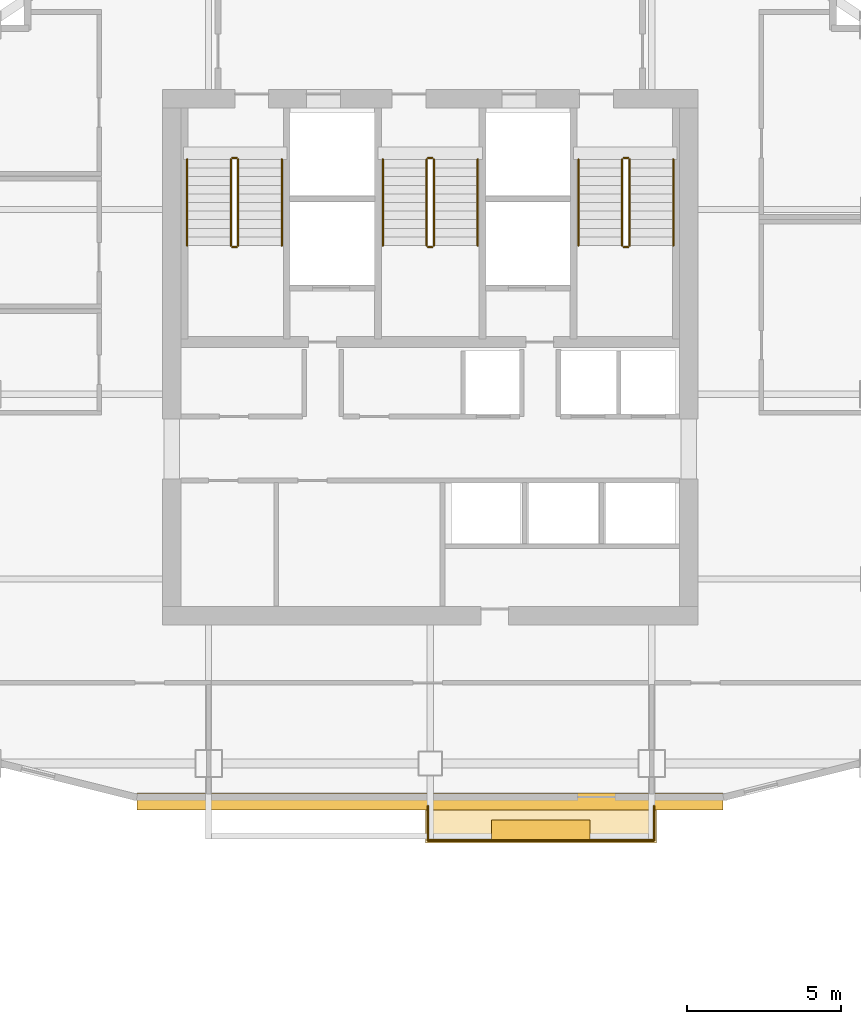
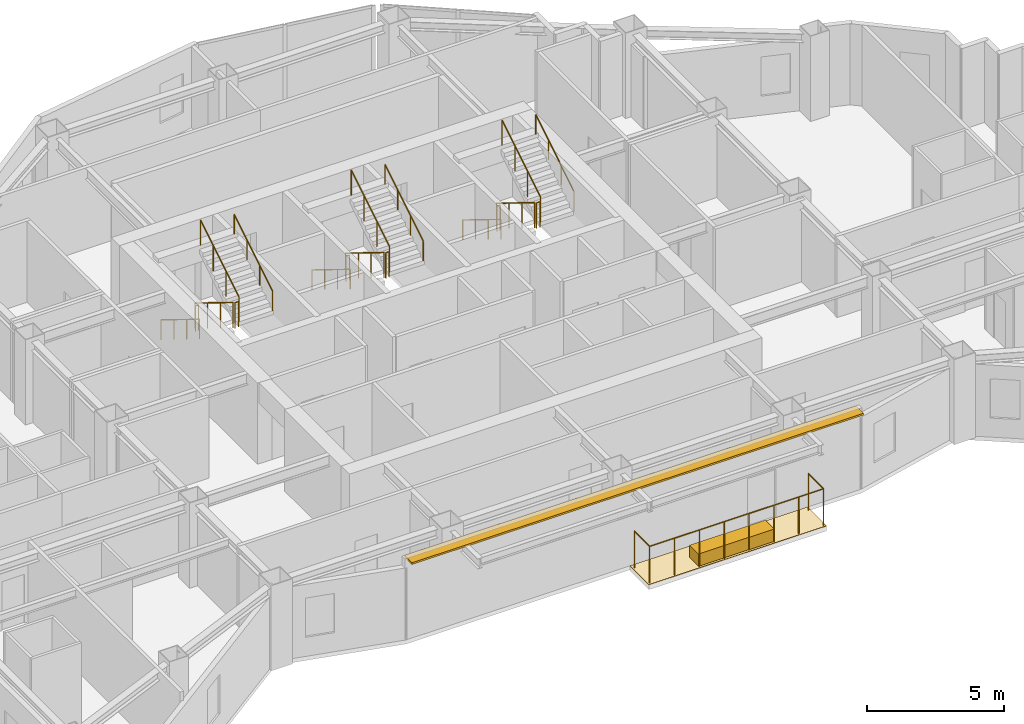
# One storey, part 10 of 10: 20 railings, 2 coverings, 1 shading device.
"""IFC4 building model written with IfcOpenShell, lengths in metres."""

from ifc_helpers import new_model, si_unit, direction, frame, origin, origin_2d, place, context, subcontext, project, spatial, polyline, rectangle, circle, outline, extrude, material, layer, layer_set, type_object, element, save


model = new_model("IFC4")

# Units and contexts
model_context = context("Model", 3, precision=1e-05, world=origin(), true_north=direction((0.0, 1.0)))
body_context = subcontext(model_context, "Body", "Model", "MODEL_VIEW")
ifc_project = project(units=[si_unit("LENGTHUNIT", "METRE"), si_unit("AREAUNIT", "SQUARE_METRE"), si_unit("VOLUMEUNIT", "CUBIC_METRE"), si_unit("PLANEANGLEUNIT", "RADIAN"), si_unit("MASSUNIT", "GRAM", prefix="KILO")], contexts=[model_context])

# Site, building, storey
site_placement = place(None, origin())
site = spatial("IfcSite", under=ifc_project, at=site_placement, CompositionType="ELEMENT")
building_placement = place(site_placement, origin())
building = spatial("IfcBuilding", under=site, at=building_placement, Name="Haolan Belvedere Tower", CompositionType="ELEMENT")
storey_placement = place(building_placement, frame((0.0, 0.0, 176.60009765625)))
storey = spatial("IfcBuildingStorey", under=building, at=storey_placement, Name="L44", CompositionType="ELEMENT", Elevation=176.60009765625)

# Coverings
ifc_material_1 = material(Name="Engineered lightweight planted garden soil substrate", Category="masonry")
ifc_layer_1 = layer(ifc_material_1, 0.550048828125, Name="Engineered lightweight planted garden soil substrate")
ifc_layer_set_1 = layer_set([ifc_layer_1], Name="Engineered lightweight planted garden soil substrate")
covering_type_1 = type_object("IfcCoveringType", Name="COV-PLANT-550", PredefinedType="MEMBRANE", material=ifc_layer_set_1)
covering_1_placement = place(storey_placement, frame((42.0, 19.43994140625, 0.0), z_axis=(0.0, 0.0, 1.0), x_axis=(1.0, 0.0, 0.0)))
element("IfcCovering", 1, at=covering_1_placement, inside=storey, type_object=covering_type_1, Name="L44 structural tree balcony PLANTER box 1", PredefinedType="MEMBRANE", context=body_context, shape_type="SweptSolid", body=[
    extrude(rectangle(XDim=3.199951171875, YDim=0.64990234375, at=origin_2d()), origin(), (0.0, 0.0, 1.0), 0.550048828125),
])
ifc_material_2 = material(Name="Elastomeric waterproof roofing membrane and stone pavers", Category="masonry")
ifc_layer_2 = layer(ifc_material_2, 0.02001953125, Name="Elastomeric waterproof roofing membrane and stone pavers")
ifc_layer_set_2 = layer_set([ifc_layer_2], Name="Elastomeric waterproof roofing membrane and stone pavers")
covering_type_2 = type_object("IfcCoveringType", Name="COV-ROOF-20", PredefinedType="ROOFING", material=ifc_layer_set_2)
covering_2_placement = place(storey_placement, frame((0.0, 0.0, -0.02001953125)))
element("IfcCovering", 2, at=covering_2_placement, inside=storey, type_object=covering_type_2, Name="L44 tree-balcony waterproof membrane 1", PredefinedType="ROOFING", context=body_context, shape_type="SweptSolid", body=[
    extrude(outline(polyline([(38.25, 19.02001953125), (45.75, 19.02001953125), (45.75, 20.39990234375), (38.25, 20.39990234375), (38.25, 19.02001953125)])), origin(), (0.0, 0.0, 1.0), 0.02001953125),
])

# Railings
ifc_material_3 = material(Name="Brushed stainless steel 304", Category="steel")
railing_type_1 = type_object("IfcRailingType", Name="RL-STAIR-GRD-1150", PredefinedType="GUARDRAIL", material=ifc_material_3)
railing_1_placement = place(storey_placement, frame((31.919921875, 41.22998046875, 0.172607421875)))
element("IfcRailing", 3, at=railing_1_placement, inside=storey, type_object=railing_type_1, Name="L44 ST1 stair guard 1", PredefinedType="GUARDRAIL", context=body_context, shape_type="SweptSolid", body=[
    extrude(circle(Radius=0.02392578125, at=origin_2d()), frame((0.0, 0.0, 1.1259765625), z_axis=(0.0, -0.851089632645, 0.525020415988), x_axis=(1.0, 0.0, 0.0)), (0.0, 0.0, 1.0), 3.2900390625),
    extrude(circle(Radius=0.02099609375, at=origin_2d()), origin(), (0.0, 0.0, 1.0), 1.101806640625),
    extrude(circle(Radius=0.02099609375, at=origin_2d()), frame((0.0, -0.933349609375, 0.57568359375)), (0.0, 0.0, 1.0), 1.101806640625),
    extrude(circle(Radius=0.02099609375, at=origin_2d()), frame((0.0, -1.86669921875, 1.151611328125)), (0.0, 0.0, 1.0), 1.101806640625),
    extrude(circle(Radius=0.02099609375, at=origin_2d()), frame((0.0, -2.800048828125, 1.727294921875)), (0.0, 0.0, 1.0), 1.101806640625),
])
railing_2_placement = place(storey_placement, frame((31.969970703125, 38.3798828125, 1.89990234375)))
element("IfcRailing", 4, at=railing_2_placement, inside=storey, type_object=railing_type_1, Name="L44 ST1 stair guard 2", PredefinedType="GUARDRAIL", context=body_context, shape_type="SweptSolid", body=[
    extrude(circle(Radius=0.02392578125, at=origin_2d()), frame((0.0, 0.0, 1.1259765625), z_axis=(1.0, 0.0, 0.0), x_axis=(0.0, 1.0, 0.0)), (0.0, 0.0, 1.0), 0.14013671875),
    extrude(circle(Radius=0.02099609375, at=origin_2d()), origin(), (0.0, 0.0, 1.0), 1.101806640625),
    extrude(circle(Radius=0.02099609375, at=origin_2d()), frame((0.14013671875, 0.0, 0.0)), (0.0, 0.0, 1.0), 1.101806640625),
])
railing_3_placement = place(storey_placement, frame((32.159912109375, 38.429931640625, 2.072509765625)))
element("IfcRailing", 5, at=railing_3_placement, inside=storey, type_object=railing_type_1, Name="L44 ST1 stair guard 3", PredefinedType="GUARDRAIL", context=body_context, shape_type="SweptSolid", body=[
    extrude(circle(Radius=0.02392578125, at=origin_2d()), frame((0.0, 0.0, 1.1259765625), z_axis=(0.0, 0.851089632645, 0.525020415988), x_axis=(-1.0, 0.0, 0.0)), (0.0, 0.0, 1.0), 3.2900390625),
    extrude(circle(Radius=0.02099609375, at=origin_2d()), origin(), (0.0, 0.0, 1.0), 1.101806640625),
    extrude(circle(Radius=0.02099609375, at=origin_2d()), frame((0.0, 0.933349609375, 0.57568359375)), (0.0, 0.0, 1.0), 1.101806640625),
    extrude(circle(Radius=0.02099609375, at=origin_2d()), frame((0.0, 1.86669921875, 1.151611328125)), (0.0, 0.0, 1.0), 1.101806640625),
    extrude(circle(Radius=0.02099609375, at=origin_2d()), frame((0.0, 2.800048828125, 1.727294921875)), (0.0, 0.0, 1.0), 1.101806640625),
])
railing_4_placement = place(storey_placement, frame((31.969970703125, 41.280029296875, 0.0)))
element("IfcRailing", 6, at=railing_4_placement, inside=storey, type_object=railing_type_1, Name="L44 ST1 stair guard 4", PredefinedType="GUARDRAIL", context=body_context, shape_type="SweptSolid", body=[
    extrude(circle(Radius=0.02392578125, at=origin_2d()), frame((0.0, 0.0, 1.1259765625), z_axis=(1.0, 0.0, 0.0), x_axis=(0.0, 1.0, 0.0)), (0.0, 0.0, 1.0), 0.14013671875),
    extrude(circle(Radius=0.02099609375, at=origin_2d()), origin(), (0.0, 0.0, 1.0), 1.101806640625),
    extrude(circle(Radius=0.02099609375, at=origin_2d()), frame((0.14013671875, 0.0, 0.0)), (0.0, 0.0, 1.0), 1.101806640625),
])
railing_5_placement = place(storey_placement, frame((38.280029296875, 41.22998046875, 0.172607421875)))
element("IfcRailing", 7, at=railing_5_placement, inside=storey, type_object=railing_type_1, Name="L44 ST3 stair guard 1", PredefinedType="GUARDRAIL", context=body_context, shape_type="SweptSolid", body=[
    extrude(circle(Radius=0.02392578125, at=origin_2d()), frame((0.0, 0.0, 1.1259765625), z_axis=(0.0, -0.851089632645, 0.525020415988), x_axis=(1.0, 0.0, 0.0)), (0.0, 0.0, 1.0), 3.2900390625),
    extrude(circle(Radius=0.02099609375, at=origin_2d()), origin(), (0.0, 0.0, 1.0), 1.101806640625),
    extrude(circle(Radius=0.02099609375, at=origin_2d()), frame((0.0, -0.933349609375, 0.57568359375)), (0.0, 0.0, 1.0), 1.101806640625),
    extrude(circle(Radius=0.02099609375, at=origin_2d()), frame((0.0, -1.86669921875, 1.151611328125)), (0.0, 0.0, 1.0), 1.101806640625),
    extrude(circle(Radius=0.02099609375, at=origin_2d()), frame((0.0, -2.800048828125, 1.727294921875)), (0.0, 0.0, 1.0), 1.101806640625),
])
railing_6_placement = place(storey_placement, frame((38.330078125, 38.3798828125, 1.89990234375)))
element("IfcRailing", 8, at=railing_6_placement, inside=storey, type_object=railing_type_1, Name="L44 ST3 stair guard 2", PredefinedType="GUARDRAIL", context=body_context, shape_type="SweptSolid", body=[
    extrude(circle(Radius=0.02392578125, at=origin_2d()), frame((0.0, 0.0, 1.1259765625), z_axis=(1.0, 0.0, 0.0), x_axis=(0.0, 1.0, 0.0)), (0.0, 0.0, 1.0), 0.139892578125),
    extrude(circle(Radius=0.02099609375, at=origin_2d()), origin(), (0.0, 0.0, 1.0), 1.101806640625),
    extrude(circle(Radius=0.02099609375, at=origin_2d()), frame((0.139892578125, 0.0, 0.0)), (0.0, 0.0, 1.0), 1.101806640625),
])
railing_7_placement = place(storey_placement, frame((38.52001953125, 38.429931640625, 2.072509765625)))
element("IfcRailing", 9, at=railing_7_placement, inside=storey, type_object=railing_type_1, Name="L44 ST3 stair guard 3", PredefinedType="GUARDRAIL", context=body_context, shape_type="SweptSolid", body=[
    extrude(circle(Radius=0.02392578125, at=origin_2d()), frame((0.0, 0.0, 1.1259765625), z_axis=(0.0, 0.851089632645, 0.525020415988), x_axis=(-1.0, 0.0, 0.0)), (0.0, 0.0, 1.0), 3.2900390625),
    extrude(circle(Radius=0.02099609375, at=origin_2d()), origin(), (0.0, 0.0, 1.0), 1.101806640625),
    extrude(circle(Radius=0.02099609375, at=origin_2d()), frame((0.0, 0.933349609375, 0.57568359375)), (0.0, 0.0, 1.0), 1.101806640625),
    extrude(circle(Radius=0.02099609375, at=origin_2d()), frame((0.0, 1.86669921875, 1.151611328125)), (0.0, 0.0, 1.0), 1.101806640625),
    extrude(circle(Radius=0.02099609375, at=origin_2d()), frame((0.0, 2.800048828125, 1.727294921875)), (0.0, 0.0, 1.0), 1.101806640625),
])
railing_8_placement = place(storey_placement, frame((38.330078125, 41.280029296875, 0.0)))
element("IfcRailing", 10, at=railing_8_placement, inside=storey, type_object=railing_type_1, Name="L44 ST3 stair guard 4", PredefinedType="GUARDRAIL", context=body_context, shape_type="SweptSolid", body=[
    extrude(circle(Radius=0.02392578125, at=origin_2d()), frame((0.0, 0.0, 1.1259765625), z_axis=(1.0, 0.0, 0.0), x_axis=(0.0, 1.0, 0.0)), (0.0, 0.0, 1.0), 0.139892578125),
    extrude(circle(Radius=0.02099609375, at=origin_2d()), origin(), (0.0, 0.0, 1.0), 1.101806640625),
    extrude(circle(Radius=0.02099609375, at=origin_2d()), frame((0.139892578125, 0.0, 0.0)), (0.0, 0.0, 1.0), 1.101806640625),
])
railing_9_placement = place(storey_placement, frame((44.639892578125, 41.22998046875, 0.172607421875)))
element("IfcRailing", 11, at=railing_9_placement, inside=storey, type_object=railing_type_1, Name="L44 ST2 stair guard 1", PredefinedType="GUARDRAIL", context=body_context, shape_type="SweptSolid", body=[
    extrude(circle(Radius=0.02392578125, at=origin_2d()), frame((0.0, 0.0, 1.1259765625), z_axis=(0.0, -0.851089632645, 0.525020415988), x_axis=(1.0, 0.0, 0.0)), (0.0, 0.0, 1.0), 3.2900390625),
    extrude(circle(Radius=0.02099609375, at=origin_2d()), origin(), (0.0, 0.0, 1.0), 1.101806640625),
    extrude(circle(Radius=0.02099609375, at=origin_2d()), frame((0.0, -0.933349609375, 0.57568359375)), (0.0, 0.0, 1.0), 1.101806640625),
    extrude(circle(Radius=0.02099609375, at=origin_2d()), frame((0.0, -1.86669921875, 1.151611328125)), (0.0, 0.0, 1.0), 1.101806640625),
    extrude(circle(Radius=0.02099609375, at=origin_2d()), frame((0.0, -2.800048828125, 1.727294921875)), (0.0, 0.0, 1.0), 1.101806640625),
])
railing_10_placement = place(storey_placement, frame((44.68994140625, 38.3798828125, 1.89990234375)))
element("IfcRailing", 12, at=railing_10_placement, inside=storey, type_object=railing_type_1, Name="L44 ST2 stair guard 2", PredefinedType="GUARDRAIL", context=body_context, shape_type="SweptSolid", body=[
    extrude(circle(Radius=0.02392578125, at=origin_2d()), frame((0.0, 0.0, 1.1259765625), z_axis=(1.0, 0.0, 0.0), x_axis=(0.0, 1.0, 0.0)), (0.0, 0.0, 1.0), 0.14013671875),
    extrude(circle(Radius=0.02099609375, at=origin_2d()), origin(), (0.0, 0.0, 1.0), 1.101806640625),
    extrude(circle(Radius=0.02099609375, at=origin_2d()), frame((0.14013671875, 0.0, 0.0)), (0.0, 0.0, 1.0), 1.101806640625),
])
railing_11_placement = place(storey_placement, frame((44.8798828125, 38.429931640625, 2.072509765625)))
element("IfcRailing", 13, at=railing_11_placement, inside=storey, type_object=railing_type_1, Name="L44 ST2 stair guard 3", PredefinedType="GUARDRAIL", context=body_context, shape_type="SweptSolid", body=[
    extrude(circle(Radius=0.02392578125, at=origin_2d()), frame((0.0, 0.0, 1.1259765625), z_axis=(0.0, 0.851089632645, 0.525020415988), x_axis=(-1.0, 0.0, 0.0)), (0.0, 0.0, 1.0), 3.2900390625),
    extrude(circle(Radius=0.02099609375, at=origin_2d()), origin(), (0.0, 0.0, 1.0), 1.101806640625),
    extrude(circle(Radius=0.02099609375, at=origin_2d()), frame((0.0, 0.933349609375, 0.57568359375)), (0.0, 0.0, 1.0), 1.101806640625),
    extrude(circle(Radius=0.02099609375, at=origin_2d()), frame((0.0, 1.86669921875, 1.151611328125)), (0.0, 0.0, 1.0), 1.101806640625),
    extrude(circle(Radius=0.02099609375, at=origin_2d()), frame((0.0, 2.800048828125, 1.727294921875)), (0.0, 0.0, 1.0), 1.101806640625),
])
railing_12_placement = place(storey_placement, frame((44.68994140625, 41.280029296875, 0.0)))
element("IfcRailing", 14, at=railing_12_placement, inside=storey, type_object=railing_type_1, Name="L44 ST2 stair guard 4", PredefinedType="GUARDRAIL", context=body_context, shape_type="SweptSolid", body=[
    extrude(circle(Radius=0.02392578125, at=origin_2d()), frame((0.0, 0.0, 1.1259765625), z_axis=(1.0, 0.0, 0.0), x_axis=(0.0, 1.0, 0.0)), (0.0, 0.0, 1.0), 0.14013671875),
    extrude(circle(Radius=0.02099609375, at=origin_2d()), origin(), (0.0, 0.0, 1.0), 1.101806640625),
    extrude(circle(Radius=0.02099609375, at=origin_2d()), frame((0.14013671875, 0.0, 0.0)), (0.0, 0.0, 1.0), 1.101806640625),
])
railing_type_2 = type_object("IfcRailingType", Name="RL-STAIR-HND-900", PredefinedType="HANDRAIL", material=ifc_material_3)
railing_13_placement = place(storey_placement, frame((30.5, 41.22998046875, 0.172607421875)))
element("IfcRailing", 15, at=railing_13_placement, inside=storey, type_object=railing_type_2, Name="L44 ST1 stair handrail 1", PredefinedType="HANDRAIL", context=body_context, shape_type="SweptSolid", body=[
    extrude(circle(Radius=0.02392578125, at=origin_2d()), frame((0.0, 0.0, 0.8759765625), z_axis=(0.0, -0.851089632645, 0.525020415988), x_axis=(1.0, 0.0, 0.0)), (0.0, 0.0, 1.0), 3.2900390625),
    extrude(circle(Radius=0.02099609375, at=origin_2d()), origin(), (0.0, 0.0, 1.0), 0.851806640625),
    extrude(circle(Radius=0.02099609375, at=origin_2d()), frame((0.0, -0.933349609375, 0.57568359375)), (0.0, 0.0, 1.0), 0.851806640625),
    extrude(circle(Radius=0.02099609375, at=origin_2d()), frame((0.0, -1.86669921875, 1.151611328125)), (0.0, 0.0, 1.0), 0.851806640625),
    extrude(circle(Radius=0.02099609375, at=origin_2d()), frame((0.0, -2.800048828125, 1.727294921875)), (0.0, 0.0, 1.0), 0.851806640625),
])
railing_14_placement = place(storey_placement, frame((33.580078125, 38.429931640625, 2.072509765625)))
element("IfcRailing", 16, at=railing_14_placement, inside=storey, type_object=railing_type_2, Name="L44 ST1 stair handrail 2", PredefinedType="HANDRAIL", context=body_context, shape_type="SweptSolid", body=[
    extrude(circle(Radius=0.02392578125, at=origin_2d()), frame((0.0, 0.0, 0.8759765625), z_axis=(0.0, 0.851089632645, 0.525020415988), x_axis=(-1.0, 0.0, 0.0)), (0.0, 0.0, 1.0), 3.2900390625),
    extrude(circle(Radius=0.02099609375, at=origin_2d()), origin(), (0.0, 0.0, 1.0), 0.851806640625),
    extrude(circle(Radius=0.02099609375, at=origin_2d()), frame((0.0, 0.933349609375, 0.57568359375)), (0.0, 0.0, 1.0), 0.851806640625),
    extrude(circle(Radius=0.02099609375, at=origin_2d()), frame((0.0, 1.86669921875, 1.151611328125)), (0.0, 0.0, 1.0), 0.851806640625),
    extrude(circle(Radius=0.02099609375, at=origin_2d()), frame((0.0, 2.800048828125, 1.727294921875)), (0.0, 0.0, 1.0), 0.851806640625),
])
railing_15_placement = place(storey_placement, frame((36.860107421875, 41.22998046875, 0.172607421875)))
element("IfcRailing", 17, at=railing_15_placement, inside=storey, type_object=railing_type_2, Name="L44 ST3 stair handrail 1", PredefinedType="HANDRAIL", context=body_context, shape_type="SweptSolid", body=[
    extrude(circle(Radius=0.02392578125, at=origin_2d()), frame((0.0, 0.0, 0.8759765625), z_axis=(0.0, -0.851089632645, 0.525020415988), x_axis=(1.0, 0.0, 0.0)), (0.0, 0.0, 1.0), 3.2900390625),
    extrude(circle(Radius=0.02099609375, at=origin_2d()), origin(), (0.0, 0.0, 1.0), 0.851806640625),
    extrude(circle(Radius=0.02099609375, at=origin_2d()), frame((0.0, -0.933349609375, 0.57568359375)), (0.0, 0.0, 1.0), 0.851806640625),
    extrude(circle(Radius=0.02099609375, at=origin_2d()), frame((0.0, -1.86669921875, 1.151611328125)), (0.0, 0.0, 1.0), 0.851806640625),
    extrude(circle(Radius=0.02099609375, at=origin_2d()), frame((0.0, -2.800048828125, 1.727294921875)), (0.0, 0.0, 1.0), 0.851806640625),
])
railing_16_placement = place(storey_placement, frame((39.93994140625, 38.429931640625, 2.072509765625)))
element("IfcRailing", 18, at=railing_16_placement, inside=storey, type_object=railing_type_2, Name="L44 ST3 stair handrail 2", PredefinedType="HANDRAIL", context=body_context, shape_type="SweptSolid", body=[
    extrude(circle(Radius=0.02392578125, at=origin_2d()), frame((0.0, 0.0, 0.8759765625), z_axis=(0.0, 0.851089632645, 0.525020415988), x_axis=(-1.0, 0.0, 0.0)), (0.0, 0.0, 1.0), 3.2900390625),
    extrude(circle(Radius=0.02099609375, at=origin_2d()), origin(), (0.0, 0.0, 1.0), 0.851806640625),
    extrude(circle(Radius=0.02099609375, at=origin_2d()), frame((0.0, 0.933349609375, 0.57568359375)), (0.0, 0.0, 1.0), 0.851806640625),
    extrude(circle(Radius=0.02099609375, at=origin_2d()), frame((0.0, 1.86669921875, 1.151611328125)), (0.0, 0.0, 1.0), 0.851806640625),
    extrude(circle(Radius=0.02099609375, at=origin_2d()), frame((0.0, 2.800048828125, 1.727294921875)), (0.0, 0.0, 1.0), 0.851806640625),
])
railing_17_placement = place(storey_placement, frame((43.219970703125, 41.22998046875, 0.172607421875)))
element("IfcRailing", 19, at=railing_17_placement, inside=storey, type_object=railing_type_2, Name="L44 ST2 stair handrail 1", PredefinedType="HANDRAIL", context=body_context, shape_type="SweptSolid", body=[
    extrude(circle(Radius=0.02392578125, at=origin_2d()), frame((0.0, 0.0, 0.8759765625), z_axis=(0.0, -0.851089632645, 0.525020415988), x_axis=(1.0, 0.0, 0.0)), (0.0, 0.0, 1.0), 3.2900390625),
    extrude(circle(Radius=0.02099609375, at=origin_2d()), origin(), (0.0, 0.0, 1.0), 0.851806640625),
    extrude(circle(Radius=0.02099609375, at=origin_2d()), frame((0.0, -0.933349609375, 0.57568359375)), (0.0, 0.0, 1.0), 0.851806640625),
    extrude(circle(Radius=0.02099609375, at=origin_2d()), frame((0.0, -1.86669921875, 1.151611328125)), (0.0, 0.0, 1.0), 0.851806640625),
    extrude(circle(Radius=0.02099609375, at=origin_2d()), frame((0.0, -2.800048828125, 1.727294921875)), (0.0, 0.0, 1.0), 0.851806640625),
])
railing_18_placement = place(storey_placement, frame((46.300048828125, 38.429931640625, 2.072509765625)))
element("IfcRailing", 20, at=railing_18_placement, inside=storey, type_object=railing_type_2, Name="L44 ST2 stair handrail 2", PredefinedType="HANDRAIL", context=body_context, shape_type="SweptSolid", body=[
    extrude(circle(Radius=0.02392578125, at=origin_2d()), frame((0.0, 0.0, 0.8759765625), z_axis=(0.0, 0.851089632645, 0.525020415988), x_axis=(-1.0, 0.0, 0.0)), (0.0, 0.0, 1.0), 3.2900390625),
    extrude(circle(Radius=0.02099609375, at=origin_2d()), origin(), (0.0, 0.0, 1.0), 0.851806640625),
    extrude(circle(Radius=0.02099609375, at=origin_2d()), frame((0.0, 0.933349609375, 0.57568359375)), (0.0, 0.0, 1.0), 0.851806640625),
    extrude(circle(Radius=0.02099609375, at=origin_2d()), frame((0.0, 1.86669921875, 1.151611328125)), (0.0, 0.0, 1.0), 0.851806640625),
    extrude(circle(Radius=0.02099609375, at=origin_2d()), frame((0.0, 2.800048828125, 1.727294921875)), (0.0, 0.0, 1.0), 0.851806640625),
])
ifc_material_4 = material(Name="Anodised aluminium and laminated glass balustrade", Category="aluminium")
railing_type_3 = type_object("IfcRailingType", Name="RL-TER-BAL-1150", PredefinedType="BALUSTRADE", material=ifc_material_4)
railing_19_placement = place(storey_placement, frame((38.330078125, 19.10009765625, 0.0)))
element("IfcRailing", 21, at=railing_19_placement, inside=storey, type_object=railing_type_3, Name="L44 outdoor perimeter balustrade BAL-L44-1-1", PredefinedType="BALUSTRADE", context=body_context, shape_type="SweptSolid", body=[
    extrude(circle(Radius=0.02392578125, at=origin_2d()), frame((0.0, 0.0, 1.6259765625), z_axis=(0.0, 1.0, 0.0), x_axis=(-1.0, 0.0, 0.0)), (0.0, 0.0, 1.0), 1.119873046875),
    extrude(circle(Radius=0.02099609375, at=origin_2d()), origin(), (0.0, 0.0, 1.0), 1.601806640625),
    extrude(circle(Radius=0.02099609375, at=origin_2d()), frame((0.0, 1.119873046875, 0.0)), (0.0, 0.0, 1.0), 1.601806640625),
])
railing_20_placement = place(storey_placement, frame((45.669921875, 20.219970703125, 0.0)))
element("IfcRailing", 22, at=railing_20_placement, inside=storey, type_object=railing_type_3, Name="L44 outdoor perimeter balustrade BAL-L44-1-2", PredefinedType="BALUSTRADE", context=body_context, shape_type="SweptSolid", body=[
    extrude(circle(Radius=0.02392578125, at=origin_2d()), frame((0.0, 0.0, 1.6259765625), z_axis=(0.0, -1.0, 0.0), x_axis=(1.0, 0.0, 0.0)), (0.0, 0.0, 1.0), 1.119873046875),
    extrude(circle(Radius=0.02392578125, at=origin_2d()), frame((0.0, -1.119873046875, 1.6259765625), z_axis=(-1.0, 0.0, 0.0), x_axis=(0.0, -1.0, 0.0)), (0.0, 0.0, 1.0), 7.33984375),
    extrude(circle(Radius=0.02099609375, at=origin_2d()), origin(), (0.0, 0.0, 1.0), 1.601806640625),
    extrude(circle(Radius=0.02099609375, at=origin_2d()), frame((0.0, -1.119873046875, 0.0)), (0.0, 0.0, 1.0), 1.601806640625),
    extrude(circle(Radius=0.02099609375, at=origin_2d()), frame((-1.048583984375, -1.119873046875, 0.0)), (0.0, 0.0, 1.0), 1.601806640625),
    extrude(circle(Radius=0.02099609375, at=origin_2d()), frame((-2.09716796875, -1.119873046875, 0.0)), (0.0, 0.0, 1.0), 1.601806640625),
    extrude(circle(Radius=0.02099609375, at=origin_2d()), frame((-3.145751953125, -1.119873046875, 0.0)), (0.0, 0.0, 1.0), 1.601806640625),
    extrude(circle(Radius=0.02099609375, at=origin_2d()), frame((-4.194091796875, -1.119873046875, 0.0)), (0.0, 0.0, 1.0), 1.601806640625),
    extrude(circle(Radius=0.02099609375, at=origin_2d()), frame((-5.24267578125, -1.119873046875, 0.0)), (0.0, 0.0, 1.0), 1.601806640625),
    extrude(circle(Radius=0.02099609375, at=origin_2d()), frame((-6.291259765625, -1.119873046875, 0.0)), (0.0, 0.0, 1.0), 1.601806640625),
    extrude(circle(Radius=0.02099609375, at=origin_2d()), frame((-7.33984375, -1.119873046875, 0.0)), (0.0, 0.0, 1.0), 1.601806640625),
])

# Shading device
ifc_material_5 = material(Name="Anodised champagne-silver aluminium 6063-T6", Category="aluminium")
ifc_layer_3 = layer(ifc_material_5, 0.080078125, Name="Anodised champagne-silver aluminium 6063-T6")
ifc_layer_set_3 = layer_set([ifc_layer_3], Name="Anodised champagne-silver aluminium 6063-T6")
shading_device_type = type_object("IfcShadingDeviceType", Name="SHD-SUN-550", PredefinedType="USERDEFINED", material=ifc_layer_set_3)
shading_device_placement = place(storey_placement, frame((38.39990234375, 20.3701171875, 3.519775390625), z_axis=(0.0, 0.0, 1.0), x_axis=(1.0, 0.0, 0.0)))
element("IfcShadingDevice", 23, at=shading_device_placement, inside=storey, type_object=shading_device_type, Name="L44 pale-metal horizontal SUNSHADE band 1.1", ObjectType="SUNSHADE", PredefinedType="USERDEFINED", context=body_context, shape_type="SweptSolid", body=[
    extrude(rectangle(XDim=19.04296875, YDim=0.550048828125, at=origin_2d()), origin(), (0.0, 0.0, 1.0), 0.080078125),
])

save(model, "model.ifc")
